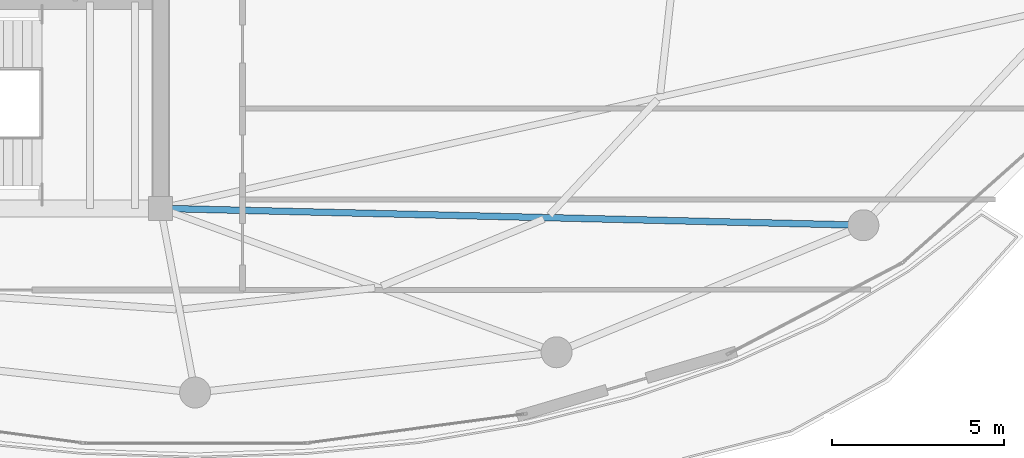
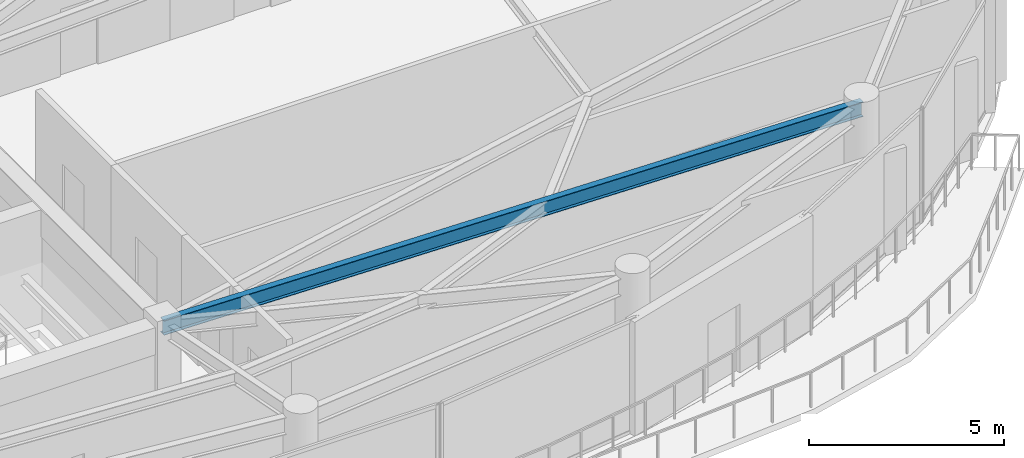
# One storey, part 12 of 29: 1 beam.
"""IFC4 building model written with IfcOpenShell, lengths in metres."""

from ifc_helpers import new_model, si_unit, direction, frame, origin, origin_2d, place, context, subcontext, project, spatial, i_section, extrude, material, material_profile, profile_set, type_object, element, save


model = new_model("IFC4")

# Units and contexts
model_context = context("Model", 3, precision=1e-05, world=origin(), true_north=direction((0.0, 1.0)))
body_context = subcontext(model_context, "Body", "Model", "MODEL_VIEW")
ifc_project = project(units=[si_unit("LENGTHUNIT", "METRE"), si_unit("AREAUNIT", "SQUARE_METRE"), si_unit("VOLUMEUNIT", "CUBIC_METRE"), si_unit("PLANEANGLEUNIT", "RADIAN"), si_unit("MASSUNIT", "GRAM", prefix="KILO")], contexts=[model_context])

# Site, building, storey
site_placement = place(None, origin())
site = spatial("IfcSite", under=ifc_project, at=site_placement, CompositionType="ELEMENT")
building_placement = place(site_placement, origin())
building = spatial("IfcBuilding", under=site, at=building_placement, Name="Kazevale Care Tower and Concert Hall", CompositionType="ELEMENT")
storey_placement = place(building_placement, frame((0.0, 0.0, 285.199951171875)))
storey = spatial("IfcBuildingStorey", under=building, at=storey_placement, Name="L75", CompositionType="ELEMENT", Elevation=285.199951171875)

# Beam
ifc_material = material(Name="Steel ASTM A572 Gr 50", Category="steel")
ifc_material_profile = material_profile(ifc_material, i_section(OverallWidth=0.19091796875, OverallDepth=0.4599609375, WebThickness=0.010009765625, FlangeThickness=0.01611328125, at=origin_2d()), Name="W460x82")
ifc_profile_set = profile_set([ifc_material_profile], Name="Steel ASTM A572 Gr 50")
beam_type = type_object("IfcBeamType", Name="Radial Floor Beam W460x82", PredefinedType="BEAM", material=ifc_profile_set)
beam_placement = place(storey_placement, frame((44.0, 23.60009765625, 3.330078125), z_axis=(0.999711945342, -0.024000548742, 0.0), x_axis=(0.024000548742, 0.999711945342, 0.0)))
element("IfcBeam", 1, at=beam_placement, inside=storey, type_object=beam_type, Name="beam:L75:rad:15", PredefinedType="BEAM", context=body_context, shape_type="SweptSolid", body=[
    extrude(i_section(OverallWidth=0.19091796875, OverallDepth=0.4599609375, WebThickness=0.010009765625, FlangeThickness=0.01611328125, at=origin_2d()), origin(), (0.0, 0.0, 1.0), 20.415771484375),
])

save(model, "model.ifc")
